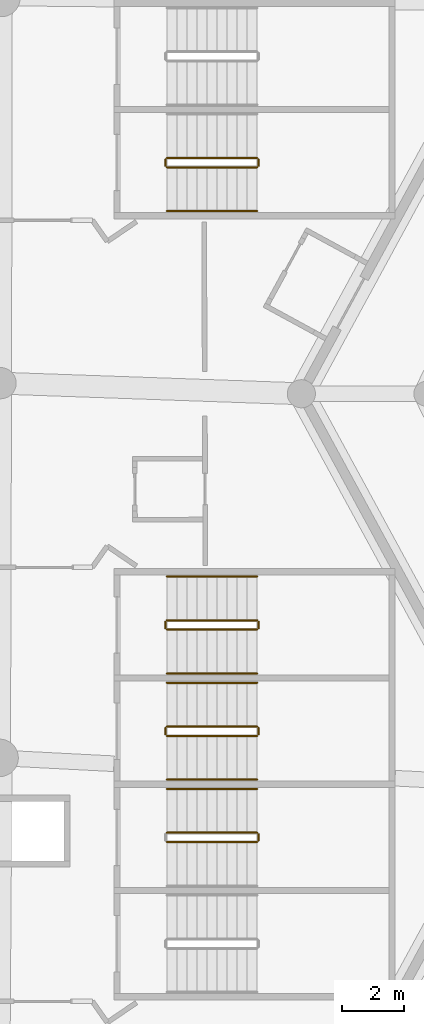
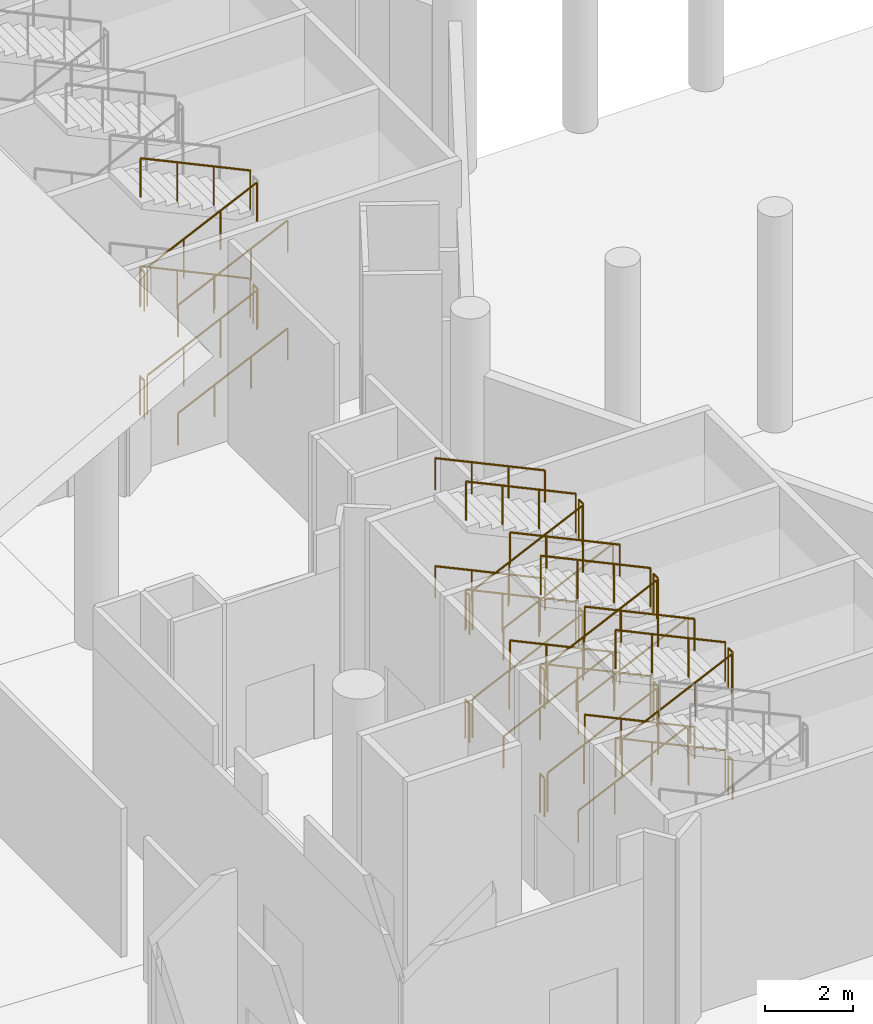
# One storey, part 226 of 249: 40 railings.
"""IFC4 building model written with IfcOpenShell, lengths in metres."""

import ifcopenshell
import ifcopenshell.guid

model = None  # the IFC model being written
_history = None  # IfcOwnerHistory: only IFC2X3 demands one
_inside = {}  # id of a spatial element -> (the spatial element, [elements in it])
_under = {}  # id of a project, library or spatial element -> (it, [spatial elements below it])
_declared = {}  # id of a project -> (the project, [libraries it declares])
_typed = {}  # id of a type object -> (the type object, [elements of that type])
_made_of = {}  # id of a material, layer set ... -> (it, [elements and type objects made of it])


def new_model(schema):
    """Start an empty IFC model of exactly this schema.

    Asked for "IFC4X3", IfcOpenShell would pick the latest addendum, in which some entities
    have other attributes; the version numbers below select the first issue.
    IFC2X3 requires an IfcOwnerHistory on every rooted entity: one is made here for all.
    """
    global model, _history
    if schema == "IFC4X3":
        model = ifcopenshell.file(schema_version=(4, 3, 0, 0))
    else:
        model = ifcopenshell.file(schema=schema)
    _inside.clear()
    _under.clear()
    _declared.clear()
    _typed.clear()
    _made_of.clear()
    _history = None
    if model.schema == "IFC2X3":
        org = make("IfcOrganization", Name="unknown")
        user = make(
            "IfcPersonAndOrganization",
            ThePerson=make("IfcPerson", FamilyName="unknown"),
            TheOrganization=org,
        )
        app = make(
            "IfcApplication",
            ApplicationDeveloper=org,
            Version="unknown",
            ApplicationFullName="unknown",
            ApplicationIdentifier="unknown",
        )
        _history = make(
            "IfcOwnerHistory",
            OwningUser=user,
            OwningApplication=app,
            ChangeAction="ADDED",
            CreationDate=0,
        )
    return model


def make(cls, **values):
    """One entity of the class cls with the attributes given. An attribute that is None is left unset."""
    return model.create_entity(
        cls, **{name: value for name, value in values.items() if value is not None}
    )


def rooted(cls, **values):
    """An entity with a GlobalId (a new one), such as an element, a storey or a relation."""
    return make(cls, GlobalId=ifcopenshell.guid.new(), OwnerHistory=_history, **values)


def si_unit(unit_type, name, prefix=None):
    """IfcSIUnit, for example si_unit("LENGTHUNIT", "METRE", prefix="MILLI")."""
    return make("IfcSIUnit", UnitType=unit_type, Prefix=prefix, Name=name)


def assignment(units):
    """IfcUnitAssignment: the units of a project."""
    return None if units is None else make("IfcUnitAssignment", Units=units)


def point(xyz):
    """IfcCartesianPoint."""
    return None if xyz is None else make("IfcCartesianPoint", Coordinates=xyz)


def direction(xyz):
    """IfcDirection."""
    return None if xyz is None else make("IfcDirection", DirectionRatios=xyz)


def frame(location, z_axis=None, x_axis=None):
    """IfcAxis2Placement3D, a coordinate frame: its origin and axes. An axis left out is left unset."""
    return make(
        "IfcAxis2Placement3D",
        Location=point(location),
        Axis=direction(z_axis),
        RefDirection=direction(x_axis),
    )


def frame_2d(location, x_axis=None):
    """IfcAxis2Placement2D, a coordinate frame in the plane: its origin and x axis."""
    return make(
        "IfcAxis2Placement2D", Location=point(location), RefDirection=direction(x_axis)
    )


def origin():
    """The frame at (0, 0, 0) with its axes left unset."""
    return frame((0.0, 0.0, 0.0))


def origin_2d():
    """The frame at (0, 0) in the plane with its x axis left unset."""
    return frame_2d((0.0, 0.0))


def place(relative_to, where):
    """IfcLocalPlacement: puts the frame where relative to a parent placement (None: the world)."""
    return make(
        "IfcLocalPlacement", PlacementRelTo=relative_to, RelativePlacement=where
    )


def context(
    kind, dimensions, precision=None, world=None, true_north=None, identifier=None
):
    """IfcGeometricRepresentationContext, for example the 3D "Model" context."""
    return make(
        "IfcGeometricRepresentationContext",
        ContextIdentifier=identifier,
        ContextType=kind,
        CoordinateSpaceDimension=dimensions,
        Precision=precision,
        WorldCoordinateSystem=world,
        TrueNorth=true_north,
    )


def subcontext(parent, identifier, kind, view, scale=None):
    """IfcGeometricRepresentationSubContext, for example "Body" below "Model"."""
    return make(
        "IfcGeometricRepresentationSubContext",
        ContextIdentifier=identifier,
        ContextType=kind,
        ParentContext=parent,
        TargetScale=scale,
        TargetView=view,
    )


def project(units=None, contexts=None):
    """IfcProject with its units and contexts."""
    return rooted(
        "IfcProject",
        Name="project",
        RepresentationContexts=contexts,
        UnitsInContext=assignment(units),
    )


def spatial(cls, under=None, at=None, **own):
    """A site, building, storey or space (cls), placed at a placement, below another one or the project."""
    s = rooted(cls, ObjectPlacement=at, **own)
    if under is not None:
        _under.setdefault(under.id(), (under, []))[1].append(s)
    return s


def profile(cls, at=None, kind="AREA", **sizes):
    """A parametric profile (cls). Its sizes go by their IFC names, for example OverallWidth=200.0."""
    return make(cls, ProfileType=kind, Position=at, **sizes)


def circle(**sizes):
    """IfcCircleProfileDef."""
    return profile("IfcCircleProfileDef", **sizes)


def extrude(swept, where, along, depth):
    """IfcExtrudedAreaSolid: the profile swept, set in the frame where, extruded along a direction by depth."""
    return make(
        "IfcExtrudedAreaSolid",
        SweptArea=swept,
        Position=where,
        ExtrudedDirection=direction(along),
        Depth=depth,
    )


def shape(context_of_items, identifier, shape_type, items):
    """IfcShapeRepresentation: the items that make up one representation, for example the "Body"."""
    return make(
        "IfcShapeRepresentation",
        ContextOfItems=context_of_items,
        RepresentationIdentifier=identifier,
        RepresentationType=shape_type,
        Items=items,
    )


def material(Name=None, Category=None):
    """IfcMaterial."""
    return make("IfcMaterial", Name=Name, Category=Category)


def made_of(thing, what):
    """Note that an element or type object is made of a material, layer set ...; save() writes the relation."""
    if what is not None:
        _made_of.setdefault(what.id(), (what, []))[1].append(thing)
    return thing


def type_object(cls, material=None, **own):
    """A type object (cls), such as IfcWallType, which elements share."""
    return made_of(rooted(cls, **own), material)


def element(
    cls,
    number,
    at=None,
    inside=None,
    cuts=None,
    type_object=None,
    material=None,
    context=None,
    identifier="Body",
    shape_type=None,
    held_by="IfcProductDefinitionShape",
    body=None,
    shapes=None,
    **own,
):
    """One element of the class cls, such as IfcWall. Its Tag is "e" and its number.

    at: its placement. inside: the storey or other place that contains it. cuts: it is an
    opening in that element (IfcRelVoidsElement). A single representation is given by context,
    identifier, shape_type and body (its items); several are given by shapes. held_by: the class
    of the entity that holds the representations. save() writes the other relations.
    """
    e = rooted(cls, Tag="e%d" % number, ObjectPlacement=at, **own)
    if body is not None:
        shapes = [shape(context, identifier, shape_type, body)]
    if shapes is not None:
        e.Representation = make(held_by, Representations=shapes)
    if inside is not None:
        _inside.setdefault(inside.id(), (inside, []))[1].append(e)
    if cuts is not None:
        rooted(
            "IfcRelVoidsElement", RelatingBuildingElement=cuts, RelatedOpeningElement=e
        )
    if type_object is not None:
        _typed.setdefault(type_object.id(), (type_object, []))[1].append(e)
    return made_of(e, material)


def aggregate(whole, parts):
    """IfcRelAggregates: a whole, such as a stair, and the parts it consists of."""
    return rooted("IfcRelAggregates", RelatingObject=whole, RelatedObjects=parts)


def save(model, path):
    """Write the relations noted so far, then the file.

    IfcRelAggregates (storeys below a building ...), IfcRelContainedInSpatialStructure (elements
    in a storey), IfcRelDefinesByType, IfcRelAssociatesMaterial and IfcRelDeclares: one each for
    every whole, place, type object, material and project.
    """
    for whole, parts in _under.values():
        aggregate(whole, parts)
    for where, things in _inside.values():
        rooted(
            "IfcRelContainedInSpatialStructure",
            RelatedElements=things,
            RelatingStructure=where,
        )
    for kind, things in _typed.values():
        rooted("IfcRelDefinesByType", RelatedObjects=things, RelatingType=kind)
    for what, things in _made_of.values():
        rooted("IfcRelAssociatesMaterial", RelatedObjects=things, RelatingMaterial=what)
    for by, libraries in _declared.values():
        rooted("IfcRelDeclares", RelatingContext=by, RelatedDefinitions=libraries)
    model.write(path)


model = new_model("IFC4")

# Units and contexts
model_context = context("Model", 3, precision=1e-05, world=origin(), true_north=direction((0.0, 1.0)))
body_context = subcontext(model_context, "Body", "Model", "MODEL_VIEW")
ifc_project = project(units=[si_unit("LENGTHUNIT", "METRE"), si_unit("AREAUNIT", "SQUARE_METRE"), si_unit("VOLUMEUNIT", "CUBIC_METRE"), si_unit("PLANEANGLEUNIT", "RADIAN"), si_unit("MASSUNIT", "GRAM", prefix="KILO")], contexts=[model_context])

# Site, building, storey
site_placement = place(None, origin())
site = spatial("IfcSite", under=ifc_project, at=site_placement, CompositionType="ELEMENT")
building_placement = place(site_placement, origin())
building = spatial("IfcBuilding", under=site, at=building_placement, Name="Meseta Stadium", CompositionType="ELEMENT")
storey_placement = place(building_placement, frame((0.0, 0.0, 12.0)))
storey = spatial("IfcBuildingStorey", under=building, at=storey_placement, Name="L02", CompositionType="ELEMENT", Elevation=12.0)

# Railings
ifc_material_1 = material(Name="Steel S355", Category="steel")
railing_type_1 = type_object("IfcRailingType", Name="Stair guard 1100", PredefinedType="GUARDRAIL", material=ifc_material_1)
railing_1_placement = place(storey_placement, frame((93.22998046875, -33.050048828125, 1.5)))
element("IfcRailing", 1, at=railing_1_placement, inside=storey, type_object=railing_type_1, Name="ST6 L02 guard 2", PredefinedType="GUARDRAIL", context=body_context, shape_type="SweptSolid", body=[
    extrude(circle(Radius=0.02392578125, at=origin_2d()), frame((0.0, 0.0, 1.076171875), z_axis=(0.0, 1.0, 0.0), x_axis=(-1.0, 0.0, 0.0)), (0.0, 0.0, 1.0), 0.199951171875),
    extrude(circle(Radius=0.02099609375, at=origin_2d()), origin(), (0.0, 0.0, 1.0), 1.052001953125),
    extrude(circle(Radius=0.02099609375, at=origin_2d()), frame((0.0, 0.199951171875, 0.0)), (0.0, 0.0, 1.0), 1.052001953125),
])
railing_2_placement = place(storey_placement, frame((93.179931640625, -32.800048828125, 1.64990234375)))
element("IfcRailing", 2, at=railing_2_placement, inside=storey, type_object=railing_type_1, Name="ST6 L02 guard 3", PredefinedType="GUARDRAIL", context=body_context, shape_type="SweptSolid", body=[
    extrude(circle(Radius=0.02392578125, at=origin_2d()), frame((0.0, 0.0, 1.076171875), z_axis=(-0.905440498372, 0.0, 0.424473207528), x_axis=(0.0, -1.0, 0.0)), (0.0, 0.0, 1.0), 3.1806640625),
    extrude(circle(Radius=0.02099609375, at=origin_2d()), origin(), (0.0, 0.0, 1.0), 1.052001953125),
    extrude(circle(Radius=0.02099609375, at=origin_2d()), frame((-0.9599609375, 0.0, 0.449951171875)), (0.0, 0.0, 1.0), 1.052001953125),
    extrude(circle(Radius=0.02099609375, at=origin_2d()), frame((-1.919921875, 0.0, 0.900146484375)), (0.0, 0.0, 1.0), 1.052001953125),
    extrude(circle(Radius=0.02099609375, at=origin_2d()), frame((-2.8798828125, 0.0, 1.35009765625)), (0.0, 0.0, 1.0), 1.052001953125),
])
railing_3_placement = place(storey_placement, frame((90.300048828125, -33.10009765625, 3.14990234375)))
element("IfcRailing", 3, at=railing_3_placement, inside=storey, type_object=railing_type_1, Name="ST6 L02 guard 5", PredefinedType="GUARDRAIL", context=body_context, shape_type="SweptSolid", body=[
    extrude(circle(Radius=0.02392578125, at=origin_2d()), frame((0.0, 0.0, 1.076171875), z_axis=(0.905440498372, 0.0, 0.424473207528), x_axis=(0.0, 1.0, 0.0)), (0.0, 0.0, 1.0), 3.1806640625),
    extrude(circle(Radius=0.02099609375, at=origin_2d()), origin(), (0.0, 0.0, 1.0), 1.052001953125),
    extrude(circle(Radius=0.02099609375, at=origin_2d()), frame((0.9599609375, 0.0, 0.449951171875)), (0.0, 0.0, 1.0), 1.052001953125),
    extrude(circle(Radius=0.02099609375, at=origin_2d()), frame((1.919921875, 0.0, 0.900146484375)), (0.0, 0.0, 1.0), 1.052001953125),
    extrude(circle(Radius=0.02099609375, at=origin_2d()), frame((2.8798828125, 0.0, 1.35009765625)), (0.0, 0.0, 1.0), 1.052001953125),
])
railing_4_placement = place(storey_placement, frame((93.22998046875, -33.050048828125, 4.5)))
element("IfcRailing", 4, at=railing_4_placement, inside=storey, type_object=railing_type_1, Name="ST6 L02 guard 6", PredefinedType="GUARDRAIL", context=body_context, shape_type="SweptSolid", body=[
    extrude(circle(Radius=0.02392578125, at=origin_2d()), frame((0.0, 0.0, 1.076171875), z_axis=(0.0, 1.0, 0.0), x_axis=(-1.0, 0.0, 0.0)), (0.0, 0.0, 1.0), 0.199951171875),
    extrude(circle(Radius=0.02099609375, at=origin_2d()), origin(), (0.0, 0.0, 1.0), 1.052001953125),
    extrude(circle(Radius=0.02099609375, at=origin_2d()), frame((0.0, 0.199951171875, 0.0)), (0.0, 0.0, 1.0), 1.052001953125),
])
railing_5_placement = place(storey_placement, frame((93.179931640625, -32.800048828125, 4.64990234375)))
element("IfcRailing", 5, at=railing_5_placement, inside=storey, type_object=railing_type_1, Name="ST6 L02 guard 7", PredefinedType="GUARDRAIL", context=body_context, shape_type="SweptSolid", body=[
    extrude(circle(Radius=0.02392578125, at=origin_2d()), frame((0.0, 0.0, 1.076171875), z_axis=(-0.905440498372, 0.0, 0.424473207528), x_axis=(0.0, -1.0, 0.0)), (0.0, 0.0, 1.0), 3.1806640625),
    extrude(circle(Radius=0.02099609375, at=origin_2d()), origin(), (0.0, 0.0, 1.0), 1.052001953125),
    extrude(circle(Radius=0.02099609375, at=origin_2d()), frame((-0.9599609375, 0.0, 0.449951171875)), (0.0, 0.0, 1.0), 1.052001953125),
    extrude(circle(Radius=0.02099609375, at=origin_2d()), frame((-1.919921875, 0.0, 0.900146484375)), (0.0, 0.0, 1.0), 1.052001953125),
    extrude(circle(Radius=0.02099609375, at=origin_2d()), frame((-2.8798828125, 0.0, 1.35009765625)), (0.0, 0.0, 1.0), 1.052001953125),
])
railing_6_placement = place(storey_placement, frame((90.300048828125, -29.699951171875, 0.14990234375)))
element("IfcRailing", 6, at=railing_6_placement, inside=storey, type_object=railing_type_1, Name="ST7 L02 guard 1", PredefinedType="GUARDRAIL", context=body_context, shape_type="SweptSolid", body=[
    extrude(circle(Radius=0.02392578125, at=origin_2d()), frame((0.0, 0.0, 1.076171875), z_axis=(0.905440498372, 0.0, 0.424473207528), x_axis=(0.0, 1.0, 0.0)), (0.0, 0.0, 1.0), 3.1806640625),
    extrude(circle(Radius=0.02099609375, at=origin_2d()), origin(), (0.0, 0.0, 1.0), 1.052001953125),
    extrude(circle(Radius=0.02099609375, at=origin_2d()), frame((0.9599609375, 0.0, 0.449951171875)), (0.0, 0.0, 1.0), 1.052001953125),
    extrude(circle(Radius=0.02099609375, at=origin_2d()), frame((1.919921875, 0.0, 0.900146484375)), (0.0, 0.0, 1.0), 1.052001953125),
    extrude(circle(Radius=0.02099609375, at=origin_2d()), frame((2.8798828125, 0.0, 1.35009765625)), (0.0, 0.0, 1.0), 1.052001953125),
])
railing_7_placement = place(storey_placement, frame((93.22998046875, -29.64990234375, 1.5)))
element("IfcRailing", 7, at=railing_7_placement, inside=storey, type_object=railing_type_1, Name="ST7 L02 guard 2", PredefinedType="GUARDRAIL", context=body_context, shape_type="SweptSolid", body=[
    extrude(circle(Radius=0.02392578125, at=origin_2d()), frame((0.0, 0.0, 1.076171875), z_axis=(0.0, 1.0, 0.0), x_axis=(-1.0, 0.0, 0.0)), (0.0, 0.0, 1.0), 0.199951171875),
    extrude(circle(Radius=0.02099609375, at=origin_2d()), origin(), (0.0, 0.0, 1.0), 1.052001953125),
    extrude(circle(Radius=0.02099609375, at=origin_2d()), frame((0.0, 0.199951171875, 0.0)), (0.0, 0.0, 1.0), 1.052001953125),
])
railing_8_placement = place(storey_placement, frame((93.179931640625, -29.39990234375, 1.64990234375)))
element("IfcRailing", 8, at=railing_8_placement, inside=storey, type_object=railing_type_1, Name="ST7 L02 guard 3", PredefinedType="GUARDRAIL", context=body_context, shape_type="SweptSolid", body=[
    extrude(circle(Radius=0.02392578125, at=origin_2d()), frame((0.0, 0.0, 1.076171875), z_axis=(-0.905440498372, 0.0, 0.424473207528), x_axis=(0.0, -1.0, 0.0)), (0.0, 0.0, 1.0), 3.1806640625),
    extrude(circle(Radius=0.02099609375, at=origin_2d()), origin(), (0.0, 0.0, 1.0), 1.052001953125),
    extrude(circle(Radius=0.02099609375, at=origin_2d()), frame((-0.9599609375, 0.0, 0.449951171875)), (0.0, 0.0, 1.0), 1.052001953125),
    extrude(circle(Radius=0.02099609375, at=origin_2d()), frame((-1.919921875, 0.0, 0.900146484375)), (0.0, 0.0, 1.0), 1.052001953125),
    extrude(circle(Radius=0.02099609375, at=origin_2d()), frame((-2.8798828125, 0.0, 1.35009765625)), (0.0, 0.0, 1.0), 1.052001953125),
])
railing_9_placement = place(storey_placement, frame((90.25, -29.64990234375, 3.0)))
element("IfcRailing", 9, at=railing_9_placement, inside=storey, type_object=railing_type_1, Name="ST7 L02 guard 4", PredefinedType="GUARDRAIL", context=body_context, shape_type="SweptSolid", body=[
    extrude(circle(Radius=0.02392578125, at=origin_2d()), frame((0.0, 0.0, 1.076171875), z_axis=(0.0, 1.0, 0.0), x_axis=(-1.0, 0.0, 0.0)), (0.0, 0.0, 1.0), 0.199951171875),
    extrude(circle(Radius=0.02099609375, at=origin_2d()), origin(), (0.0, 0.0, 1.0), 1.052001953125),
    extrude(circle(Radius=0.02099609375, at=origin_2d()), frame((0.0, 0.199951171875, 0.0)), (0.0, 0.0, 1.0), 1.052001953125),
])
railing_10_placement = place(storey_placement, frame((90.300048828125, -29.699951171875, 3.14990234375)))
element("IfcRailing", 10, at=railing_10_placement, inside=storey, type_object=railing_type_1, Name="ST7 L02 guard 5", PredefinedType="GUARDRAIL", context=body_context, shape_type="SweptSolid", body=[
    extrude(circle(Radius=0.02392578125, at=origin_2d()), frame((0.0, 0.0, 1.076171875), z_axis=(0.905440498372, 0.0, 0.424473207528), x_axis=(0.0, 1.0, 0.0)), (0.0, 0.0, 1.0), 3.1806640625),
    extrude(circle(Radius=0.02099609375, at=origin_2d()), origin(), (0.0, 0.0, 1.0), 1.052001953125),
    extrude(circle(Radius=0.02099609375, at=origin_2d()), frame((0.9599609375, 0.0, 0.449951171875)), (0.0, 0.0, 1.0), 1.052001953125),
    extrude(circle(Radius=0.02099609375, at=origin_2d()), frame((1.919921875, 0.0, 0.900146484375)), (0.0, 0.0, 1.0), 1.052001953125),
    extrude(circle(Radius=0.02099609375, at=origin_2d()), frame((2.8798828125, 0.0, 1.35009765625)), (0.0, 0.0, 1.0), 1.052001953125),
])
railing_11_placement = place(storey_placement, frame((93.22998046875, -29.64990234375, 4.5)))
element("IfcRailing", 11, at=railing_11_placement, inside=storey, type_object=railing_type_1, Name="ST7 L02 guard 6", PredefinedType="GUARDRAIL", context=body_context, shape_type="SweptSolid", body=[
    extrude(circle(Radius=0.02392578125, at=origin_2d()), frame((0.0, 0.0, 1.076171875), z_axis=(0.0, 1.0, 0.0), x_axis=(-1.0, 0.0, 0.0)), (0.0, 0.0, 1.0), 0.199951171875),
    extrude(circle(Radius=0.02099609375, at=origin_2d()), origin(), (0.0, 0.0, 1.0), 1.052001953125),
    extrude(circle(Radius=0.02099609375, at=origin_2d()), frame((0.0, 0.199951171875, 0.0)), (0.0, 0.0, 1.0), 1.052001953125),
])
railing_12_placement = place(storey_placement, frame((93.179931640625, -29.39990234375, 4.64990234375)))
element("IfcRailing", 12, at=railing_12_placement, inside=storey, type_object=railing_type_1, Name="ST7 L02 guard 7", PredefinedType="GUARDRAIL", context=body_context, shape_type="SweptSolid", body=[
    extrude(circle(Radius=0.02392578125, at=origin_2d()), frame((0.0, 0.0, 1.076171875), z_axis=(-0.905440498372, 0.0, 0.424473207528), x_axis=(0.0, -1.0, 0.0)), (0.0, 0.0, 1.0), 3.1806640625),
    extrude(circle(Radius=0.02099609375, at=origin_2d()), origin(), (0.0, 0.0, 1.0), 1.052001953125),
    extrude(circle(Radius=0.02099609375, at=origin_2d()), frame((-0.9599609375, 0.0, 0.449951171875)), (0.0, 0.0, 1.0), 1.052001953125),
    extrude(circle(Radius=0.02099609375, at=origin_2d()), frame((-1.919921875, 0.0, 0.900146484375)), (0.0, 0.0, 1.0), 1.052001953125),
    extrude(circle(Radius=0.02099609375, at=origin_2d()), frame((-2.8798828125, 0.0, 1.35009765625)), (0.0, 0.0, 1.0), 1.052001953125),
])
railing_13_placement = place(storey_placement, frame((90.25, -29.64990234375, 0.0)))
element("IfcRailing", 13, at=railing_13_placement, inside=storey, type_object=railing_type_1, Name="ST7 L02 guard 8", PredefinedType="GUARDRAIL", context=body_context, shape_type="SweptSolid", body=[
    extrude(circle(Radius=0.02392578125, at=origin_2d()), frame((0.0, 0.0, 1.076171875), z_axis=(0.0, 1.0, 0.0), x_axis=(-1.0, 0.0, 0.0)), (0.0, 0.0, 1.0), 0.199951171875),
    extrude(circle(Radius=0.02099609375, at=origin_2d()), origin(), (0.0, 0.0, 1.0), 1.052001953125),
    extrude(circle(Radius=0.02099609375, at=origin_2d()), frame((0.0, 0.199951171875, 0.0)), (0.0, 0.0, 1.0), 1.052001953125),
])
railing_14_placement = place(storey_placement, frame((90.300048828125, -26.300048828125, 0.14990234375)))
element("IfcRailing", 14, at=railing_14_placement, inside=storey, type_object=railing_type_1, Name="ST8 L02 guard 1", PredefinedType="GUARDRAIL", context=body_context, shape_type="SweptSolid", body=[
    extrude(circle(Radius=0.02392578125, at=origin_2d()), frame((0.0, 0.0, 1.076171875), z_axis=(0.905440498372, 0.0, 0.424473207528), x_axis=(0.0, 1.0, 0.0)), (0.0, 0.0, 1.0), 3.1806640625),
    extrude(circle(Radius=0.02099609375, at=origin_2d()), origin(), (0.0, 0.0, 1.0), 1.052001953125),
    extrude(circle(Radius=0.02099609375, at=origin_2d()), frame((0.9599609375, 0.0, 0.449951171875)), (0.0, 0.0, 1.0), 1.052001953125),
    extrude(circle(Radius=0.02099609375, at=origin_2d()), frame((1.919921875, 0.0, 0.900146484375)), (0.0, 0.0, 1.0), 1.052001953125),
    extrude(circle(Radius=0.02099609375, at=origin_2d()), frame((2.8798828125, 0.0, 1.35009765625)), (0.0, 0.0, 1.0), 1.052001953125),
])
railing_15_placement = place(storey_placement, frame((93.22998046875, -26.25, 1.5)))
element("IfcRailing", 15, at=railing_15_placement, inside=storey, type_object=railing_type_1, Name="ST8 L02 guard 2", PredefinedType="GUARDRAIL", context=body_context, shape_type="SweptSolid", body=[
    extrude(circle(Radius=0.02392578125, at=origin_2d()), frame((0.0, 0.0, 1.076171875), z_axis=(0.0, 1.0, 0.0), x_axis=(-1.0, 0.0, 0.0)), (0.0, 0.0, 1.0), 0.199951171875),
    extrude(circle(Radius=0.02099609375, at=origin_2d()), origin(), (0.0, 0.0, 1.0), 1.052001953125),
    extrude(circle(Radius=0.02099609375, at=origin_2d()), frame((0.0, 0.199951171875, 0.0)), (0.0, 0.0, 1.0), 1.052001953125),
])
railing_16_placement = place(storey_placement, frame((93.179931640625, -26.0, 1.64990234375)))
element("IfcRailing", 16, at=railing_16_placement, inside=storey, type_object=railing_type_1, Name="ST8 L02 guard 3", PredefinedType="GUARDRAIL", context=body_context, shape_type="SweptSolid", body=[
    extrude(circle(Radius=0.02392578125, at=origin_2d()), frame((0.0, 0.0, 1.076171875), z_axis=(-0.905440498372, 0.0, 0.424473207528), x_axis=(0.0, -1.0, 0.0)), (0.0, 0.0, 1.0), 3.1806640625),
    extrude(circle(Radius=0.02099609375, at=origin_2d()), origin(), (0.0, 0.0, 1.0), 1.052001953125),
    extrude(circle(Radius=0.02099609375, at=origin_2d()), frame((-0.9599609375, 0.0, 0.449951171875)), (0.0, 0.0, 1.0), 1.052001953125),
    extrude(circle(Radius=0.02099609375, at=origin_2d()), frame((-1.919921875, 0.0, 0.900146484375)), (0.0, 0.0, 1.0), 1.052001953125),
    extrude(circle(Radius=0.02099609375, at=origin_2d()), frame((-2.8798828125, 0.0, 1.35009765625)), (0.0, 0.0, 1.0), 1.052001953125),
])
railing_17_placement = place(storey_placement, frame((90.25, -26.25, 3.0)))
element("IfcRailing", 17, at=railing_17_placement, inside=storey, type_object=railing_type_1, Name="ST8 L02 guard 4", PredefinedType="GUARDRAIL", context=body_context, shape_type="SweptSolid", body=[
    extrude(circle(Radius=0.02392578125, at=origin_2d()), frame((0.0, 0.0, 1.076171875), z_axis=(0.0, 1.0, 0.0), x_axis=(-1.0, 0.0, 0.0)), (0.0, 0.0, 1.0), 0.199951171875),
    extrude(circle(Radius=0.02099609375, at=origin_2d()), origin(), (0.0, 0.0, 1.0), 1.052001953125),
    extrude(circle(Radius=0.02099609375, at=origin_2d()), frame((0.0, 0.199951171875, 0.0)), (0.0, 0.0, 1.0), 1.052001953125),
])
railing_18_placement = place(storey_placement, frame((90.300048828125, -26.300048828125, 3.14990234375)))
element("IfcRailing", 18, at=railing_18_placement, inside=storey, type_object=railing_type_1, Name="ST8 L02 guard 5", PredefinedType="GUARDRAIL", context=body_context, shape_type="SweptSolid", body=[
    extrude(circle(Radius=0.02392578125, at=origin_2d()), frame((0.0, 0.0, 1.076171875), z_axis=(0.905440498372, 0.0, 0.424473207528), x_axis=(0.0, 1.0, 0.0)), (0.0, 0.0, 1.0), 3.1806640625),
    extrude(circle(Radius=0.02099609375, at=origin_2d()), origin(), (0.0, 0.0, 1.0), 1.052001953125),
    extrude(circle(Radius=0.02099609375, at=origin_2d()), frame((0.9599609375, 0.0, 0.449951171875)), (0.0, 0.0, 1.0), 1.052001953125),
    extrude(circle(Radius=0.02099609375, at=origin_2d()), frame((1.919921875, 0.0, 0.900146484375)), (0.0, 0.0, 1.0), 1.052001953125),
    extrude(circle(Radius=0.02099609375, at=origin_2d()), frame((2.8798828125, 0.0, 1.35009765625)), (0.0, 0.0, 1.0), 1.052001953125),
])
railing_19_placement = place(storey_placement, frame((93.22998046875, -26.25, 4.5)))
element("IfcRailing", 19, at=railing_19_placement, inside=storey, type_object=railing_type_1, Name="ST8 L02 guard 6", PredefinedType="GUARDRAIL", context=body_context, shape_type="SweptSolid", body=[
    extrude(circle(Radius=0.02392578125, at=origin_2d()), frame((0.0, 0.0, 1.076171875), z_axis=(0.0, 1.0, 0.0), x_axis=(-1.0, 0.0, 0.0)), (0.0, 0.0, 1.0), 0.199951171875),
    extrude(circle(Radius=0.02099609375, at=origin_2d()), origin(), (0.0, 0.0, 1.0), 1.052001953125),
    extrude(circle(Radius=0.02099609375, at=origin_2d()), frame((0.0, 0.199951171875, 0.0)), (0.0, 0.0, 1.0), 1.052001953125),
])
railing_20_placement = place(storey_placement, frame((93.179931640625, -26.0, 4.64990234375)))
element("IfcRailing", 20, at=railing_20_placement, inside=storey, type_object=railing_type_1, Name="ST8 L02 guard 7", PredefinedType="GUARDRAIL", context=body_context, shape_type="SweptSolid", body=[
    extrude(circle(Radius=0.02392578125, at=origin_2d()), frame((0.0, 0.0, 1.076171875), z_axis=(-0.905440498372, 0.0, 0.424473207528), x_axis=(0.0, -1.0, 0.0)), (0.0, 0.0, 1.0), 3.1806640625),
    extrude(circle(Radius=0.02099609375, at=origin_2d()), origin(), (0.0, 0.0, 1.0), 1.052001953125),
    extrude(circle(Radius=0.02099609375, at=origin_2d()), frame((-0.9599609375, 0.0, 0.449951171875)), (0.0, 0.0, 1.0), 1.052001953125),
    extrude(circle(Radius=0.02099609375, at=origin_2d()), frame((-1.919921875, 0.0, 0.900146484375)), (0.0, 0.0, 1.0), 1.052001953125),
    extrude(circle(Radius=0.02099609375, at=origin_2d()), frame((-2.8798828125, 0.0, 1.35009765625)), (0.0, 0.0, 1.0), 1.052001953125),
])
railing_21_placement = place(storey_placement, frame((90.25, -26.25, 0.0)))
element("IfcRailing", 21, at=railing_21_placement, inside=storey, type_object=railing_type_1, Name="ST8 L02 guard 8", PredefinedType="GUARDRAIL", context=body_context, shape_type="SweptSolid", body=[
    extrude(circle(Radius=0.02392578125, at=origin_2d()), frame((0.0, 0.0, 1.076171875), z_axis=(0.0, 1.0, 0.0), x_axis=(-1.0, 0.0, 0.0)), (0.0, 0.0, 1.0), 0.199951171875),
    extrude(circle(Radius=0.02099609375, at=origin_2d()), origin(), (0.0, 0.0, 1.0), 1.052001953125),
    extrude(circle(Radius=0.02099609375, at=origin_2d()), frame((0.0, 0.199951171875, 0.0)), (0.0, 0.0, 1.0), 1.052001953125),
])
railing_22_placement = place(storey_placement, frame((90.300048828125, -11.5, 0.14990234375)))
element("IfcRailing", 22, at=railing_22_placement, inside=storey, type_object=railing_type_1, Name="ST9 L02 guard 1", PredefinedType="GUARDRAIL", context=body_context, shape_type="SweptSolid", body=[
    extrude(circle(Radius=0.02392578125, at=origin_2d()), frame((0.0, 0.0, 1.076171875), z_axis=(0.905440498372, 0.0, 0.424473207528), x_axis=(0.0, 1.0, 0.0)), (0.0, 0.0, 1.0), 3.1806640625),
    extrude(circle(Radius=0.02099609375, at=origin_2d()), origin(), (0.0, 0.0, 1.0), 1.052001953125),
    extrude(circle(Radius=0.02099609375, at=origin_2d()), frame((0.9599609375, 0.0, 0.449951171875)), (0.0, 0.0, 1.0), 1.052001953125),
    extrude(circle(Radius=0.02099609375, at=origin_2d()), frame((1.919921875, 0.0, 0.900146484375)), (0.0, 0.0, 1.0), 1.052001953125),
    extrude(circle(Radius=0.02099609375, at=origin_2d()), frame((2.8798828125, 0.0, 1.35009765625)), (0.0, 0.0, 1.0), 1.052001953125),
])
railing_23_placement = place(storey_placement, frame((93.22998046875, -11.449951171875, 1.5)))
element("IfcRailing", 23, at=railing_23_placement, inside=storey, type_object=railing_type_1, Name="ST9 L02 guard 2", PredefinedType="GUARDRAIL", context=body_context, shape_type="SweptSolid", body=[
    extrude(circle(Radius=0.02392578125, at=origin_2d()), frame((0.0, 0.0, 1.076171875), z_axis=(0.0, 1.0, 0.0), x_axis=(-1.0, 0.0, 0.0)), (0.0, 0.0, 1.0), 0.199951171875),
    extrude(circle(Radius=0.02099609375, at=origin_2d()), origin(), (0.0, 0.0, 1.0), 1.052001953125),
    extrude(circle(Radius=0.02099609375, at=origin_2d()), frame((0.0, 0.199951171875, 0.0)), (0.0, 0.0, 1.0), 1.052001953125),
])
railing_24_placement = place(storey_placement, frame((93.179931640625, -11.199951171875, 1.64990234375)))
element("IfcRailing", 24, at=railing_24_placement, inside=storey, type_object=railing_type_1, Name="ST9 L02 guard 3", PredefinedType="GUARDRAIL", context=body_context, shape_type="SweptSolid", body=[
    extrude(circle(Radius=0.02392578125, at=origin_2d()), frame((0.0, 0.0, 1.076171875), z_axis=(-0.905440498372, 0.0, 0.424473207528), x_axis=(0.0, -1.0, 0.0)), (0.0, 0.0, 1.0), 3.1806640625),
    extrude(circle(Radius=0.02099609375, at=origin_2d()), origin(), (0.0, 0.0, 1.0), 1.052001953125),
    extrude(circle(Radius=0.02099609375, at=origin_2d()), frame((-0.9599609375, 0.0, 0.449951171875)), (0.0, 0.0, 1.0), 1.052001953125),
    extrude(circle(Radius=0.02099609375, at=origin_2d()), frame((-1.919921875, 0.0, 0.900146484375)), (0.0, 0.0, 1.0), 1.052001953125),
    extrude(circle(Radius=0.02099609375, at=origin_2d()), frame((-2.8798828125, 0.0, 1.35009765625)), (0.0, 0.0, 1.0), 1.052001953125),
])
railing_25_placement = place(storey_placement, frame((90.25, -11.449951171875, 3.0)))
element("IfcRailing", 25, at=railing_25_placement, inside=storey, type_object=railing_type_1, Name="ST9 L02 guard 4", PredefinedType="GUARDRAIL", context=body_context, shape_type="SweptSolid", body=[
    extrude(circle(Radius=0.02392578125, at=origin_2d()), frame((0.0, 0.0, 1.076171875), z_axis=(0.0, 1.0, 0.0), x_axis=(-1.0, 0.0, 0.0)), (0.0, 0.0, 1.0), 0.199951171875),
    extrude(circle(Radius=0.02099609375, at=origin_2d()), origin(), (0.0, 0.0, 1.0), 1.052001953125),
    extrude(circle(Radius=0.02099609375, at=origin_2d()), frame((0.0, 0.199951171875, 0.0)), (0.0, 0.0, 1.0), 1.052001953125),
])
railing_26_placement = place(storey_placement, frame((90.300048828125, -11.5, 3.14990234375)))
element("IfcRailing", 26, at=railing_26_placement, inside=storey, type_object=railing_type_1, Name="ST9 L02 guard 5", PredefinedType="GUARDRAIL", context=body_context, shape_type="SweptSolid", body=[
    extrude(circle(Radius=0.02392578125, at=origin_2d()), frame((0.0, 0.0, 1.076171875), z_axis=(0.905440498372, 0.0, 0.424473207528), x_axis=(0.0, 1.0, 0.0)), (0.0, 0.0, 1.0), 3.1806640625),
    extrude(circle(Radius=0.02099609375, at=origin_2d()), origin(), (0.0, 0.0, 1.0), 1.052001953125),
    extrude(circle(Radius=0.02099609375, at=origin_2d()), frame((0.9599609375, 0.0, 0.449951171875)), (0.0, 0.0, 1.0), 1.052001953125),
    extrude(circle(Radius=0.02099609375, at=origin_2d()), frame((1.919921875, 0.0, 0.900146484375)), (0.0, 0.0, 1.0), 1.052001953125),
    extrude(circle(Radius=0.02099609375, at=origin_2d()), frame((2.8798828125, 0.0, 1.35009765625)), (0.0, 0.0, 1.0), 1.052001953125),
])
railing_27_placement = place(storey_placement, frame((93.179931640625, -11.199951171875, 4.64990234375)))
element("IfcRailing", 27, at=railing_27_placement, inside=storey, type_object=railing_type_1, Name="ST9 L02 guard 7", PredefinedType="GUARDRAIL", context=body_context, shape_type="SweptSolid", body=[
    extrude(circle(Radius=0.02392578125, at=origin_2d()), frame((0.0, 0.0, 1.076171875), z_axis=(-0.905440498372, 0.0, 0.424473207528), x_axis=(0.0, -1.0, 0.0)), (0.0, 0.0, 1.0), 3.1806640625),
    extrude(circle(Radius=0.02099609375, at=origin_2d()), origin(), (0.0, 0.0, 1.0), 1.052001953125),
    extrude(circle(Radius=0.02099609375, at=origin_2d()), frame((-0.9599609375, 0.0, 0.449951171875)), (0.0, 0.0, 1.0), 1.052001953125),
    extrude(circle(Radius=0.02099609375, at=origin_2d()), frame((-1.919921875, 0.0, 0.900146484375)), (0.0, 0.0, 1.0), 1.052001953125),
    extrude(circle(Radius=0.02099609375, at=origin_2d()), frame((-2.8798828125, 0.0, 1.35009765625)), (0.0, 0.0, 1.0), 1.052001953125),
])
railing_28_placement = place(storey_placement, frame((90.25, -11.449951171875, 0.0)))
element("IfcRailing", 28, at=railing_28_placement, inside=storey, type_object=railing_type_1, Name="ST9 L02 guard 8", PredefinedType="GUARDRAIL", context=body_context, shape_type="SweptSolid", body=[
    extrude(circle(Radius=0.02392578125, at=origin_2d()), frame((0.0, 0.0, 1.076171875), z_axis=(0.0, 1.0, 0.0), x_axis=(-1.0, 0.0, 0.0)), (0.0, 0.0, 1.0), 0.199951171875),
    extrude(circle(Radius=0.02099609375, at=origin_2d()), origin(), (0.0, 0.0, 1.0), 1.052001953125),
    extrude(circle(Radius=0.02099609375, at=origin_2d()), frame((0.0, 0.199951171875, 0.0)), (0.0, 0.0, 1.0), 1.052001953125),
])
ifc_material_2 = material(Name="Steel S355", Category="steel")
railing_type_2 = type_object("IfcRailingType", Name="Stair handrail 900", PredefinedType="HANDRAIL", material=ifc_material_2)
for number, where, name in (
    (29, (93.179931640625, -31.39990234375, 1.64990234375), "ST6 L02 handrail 2"),
    (30, (93.179931640625, -31.39990234375, 4.64990234375), "ST6 L02 handrail 4"),
):
    element("IfcRailing", number, at=place(storey_placement, frame(where)), inside=storey, type_object=railing_type_2, Name=name, PredefinedType="HANDRAIL", context=body_context, shape_type="SweptSolid", body=[
        extrude(circle(Radius=0.02392578125, at=origin_2d()), frame((0.0, 0.0, 0.8759765625), z_axis=(-0.905440498372, 0.0, 0.424473207528), x_axis=(0.0, -1.0, 0.0)), (0.0, 0.0, 1.0), 3.1806640625),
        extrude(circle(Radius=0.02099609375, at=origin_2d()), origin(), (0.0, 0.0, 1.0), 0.851806640625),
        extrude(circle(Radius=0.02099609375, at=origin_2d()), frame((-0.9599609375, 0.0, 0.449951171875)), (0.0, 0.0, 1.0), 0.851806640625),
        extrude(circle(Radius=0.02099609375, at=origin_2d()), frame((-1.919921875, 0.0, 0.900146484375)), (0.0, 0.0, 1.0), 0.851806640625),
        extrude(circle(Radius=0.02099609375, at=origin_2d()), frame((-2.8798828125, 0.0, 1.35009765625)), (0.0, 0.0, 1.0), 0.851806640625),
    ])
railing_29_placement = place(storey_placement, frame((90.300048828125, -31.10009765625, 0.14990234375)))
element("IfcRailing", 31, at=railing_29_placement, inside=storey, type_object=railing_type_2, Name="ST7 L02 handrail 1", PredefinedType="HANDRAIL", context=body_context, shape_type="SweptSolid", body=[
    extrude(circle(Radius=0.02392578125, at=origin_2d()), frame((0.0, 0.0, 0.8759765625), z_axis=(0.905440498372, 0.0, 0.424473207528), x_axis=(0.0, 1.0, 0.0)), (0.0, 0.0, 1.0), 3.1806640625),
    extrude(circle(Radius=0.02099609375, at=origin_2d()), origin(), (0.0, 0.0, 1.0), 0.851806640625),
    extrude(circle(Radius=0.02099609375, at=origin_2d()), frame((0.9599609375, 0.0, 0.449951171875)), (0.0, 0.0, 1.0), 0.851806640625),
    extrude(circle(Radius=0.02099609375, at=origin_2d()), frame((1.919921875, 0.0, 0.900146484375)), (0.0, 0.0, 1.0), 0.851806640625),
    extrude(circle(Radius=0.02099609375, at=origin_2d()), frame((2.8798828125, 0.0, 1.35009765625)), (0.0, 0.0, 1.0), 0.851806640625),
])
railing_30_placement = place(storey_placement, frame((93.179931640625, -28.0, 1.64990234375)))
element("IfcRailing", 32, at=railing_30_placement, inside=storey, type_object=railing_type_2, Name="ST7 L02 handrail 2", PredefinedType="HANDRAIL", context=body_context, shape_type="SweptSolid", body=[
    extrude(circle(Radius=0.02392578125, at=origin_2d()), frame((0.0, 0.0, 0.8759765625), z_axis=(-0.905440498372, 0.0, 0.424473207528), x_axis=(0.0, -1.0, 0.0)), (0.0, 0.0, 1.0), 3.1806640625),
    extrude(circle(Radius=0.02099609375, at=origin_2d()), origin(), (0.0, 0.0, 1.0), 0.851806640625),
    extrude(circle(Radius=0.02099609375, at=origin_2d()), frame((-0.9599609375, 0.0, 0.449951171875)), (0.0, 0.0, 1.0), 0.851806640625),
    extrude(circle(Radius=0.02099609375, at=origin_2d()), frame((-1.919921875, 0.0, 0.900146484375)), (0.0, 0.0, 1.0), 0.851806640625),
    extrude(circle(Radius=0.02099609375, at=origin_2d()), frame((-2.8798828125, 0.0, 1.35009765625)), (0.0, 0.0, 1.0), 0.851806640625),
])
railing_31_placement = place(storey_placement, frame((90.300048828125, -31.10009765625, 3.14990234375)))
element("IfcRailing", 33, at=railing_31_placement, inside=storey, type_object=railing_type_2, Name="ST7 L02 handrail 3", PredefinedType="HANDRAIL", context=body_context, shape_type="SweptSolid", body=[
    extrude(circle(Radius=0.02392578125, at=origin_2d()), frame((0.0, 0.0, 0.8759765625), z_axis=(0.905440498372, 0.0, 0.424473207528), x_axis=(0.0, 1.0, 0.0)), (0.0, 0.0, 1.0), 3.1806640625),
    extrude(circle(Radius=0.02099609375, at=origin_2d()), origin(), (0.0, 0.0, 1.0), 0.851806640625),
    extrude(circle(Radius=0.02099609375, at=origin_2d()), frame((0.9599609375, 0.0, 0.449951171875)), (0.0, 0.0, 1.0), 0.851806640625),
    extrude(circle(Radius=0.02099609375, at=origin_2d()), frame((1.919921875, 0.0, 0.900146484375)), (0.0, 0.0, 1.0), 0.851806640625),
    extrude(circle(Radius=0.02099609375, at=origin_2d()), frame((2.8798828125, 0.0, 1.35009765625)), (0.0, 0.0, 1.0), 0.851806640625),
])
railing_32_placement = place(storey_placement, frame((93.179931640625, -28.0, 4.64990234375)))
element("IfcRailing", 34, at=railing_32_placement, inside=storey, type_object=railing_type_2, Name="ST7 L02 handrail 4", PredefinedType="HANDRAIL", context=body_context, shape_type="SweptSolid", body=[
    extrude(circle(Radius=0.02392578125, at=origin_2d()), frame((0.0, 0.0, 0.8759765625), z_axis=(-0.905440498372, 0.0, 0.424473207528), x_axis=(0.0, -1.0, 0.0)), (0.0, 0.0, 1.0), 3.1806640625),
    extrude(circle(Radius=0.02099609375, at=origin_2d()), origin(), (0.0, 0.0, 1.0), 0.851806640625),
    extrude(circle(Radius=0.02099609375, at=origin_2d()), frame((-0.9599609375, 0.0, 0.449951171875)), (0.0, 0.0, 1.0), 0.851806640625),
    extrude(circle(Radius=0.02099609375, at=origin_2d()), frame((-1.919921875, 0.0, 0.900146484375)), (0.0, 0.0, 1.0), 0.851806640625),
    extrude(circle(Radius=0.02099609375, at=origin_2d()), frame((-2.8798828125, 0.0, 1.35009765625)), (0.0, 0.0, 1.0), 0.851806640625),
])
railing_33_placement = place(storey_placement, frame((90.300048828125, -27.699951171875, 0.14990234375)))
element("IfcRailing", 35, at=railing_33_placement, inside=storey, type_object=railing_type_2, Name="ST8 L02 handrail 1", PredefinedType="HANDRAIL", context=body_context, shape_type="SweptSolid", body=[
    extrude(circle(Radius=0.02392578125, at=origin_2d()), frame((0.0, 0.0, 0.8759765625), z_axis=(0.905440498372, 0.0, 0.424473207528), x_axis=(0.0, 1.0, 0.0)), (0.0, 0.0, 1.0), 3.1806640625),
    extrude(circle(Radius=0.02099609375, at=origin_2d()), origin(), (0.0, 0.0, 1.0), 0.851806640625),
    extrude(circle(Radius=0.02099609375, at=origin_2d()), frame((0.9599609375, 0.0, 0.449951171875)), (0.0, 0.0, 1.0), 0.851806640625),
    extrude(circle(Radius=0.02099609375, at=origin_2d()), frame((1.919921875, 0.0, 0.900146484375)), (0.0, 0.0, 1.0), 0.851806640625),
    extrude(circle(Radius=0.02099609375, at=origin_2d()), frame((2.8798828125, 0.0, 1.35009765625)), (0.0, 0.0, 1.0), 0.851806640625),
])
railing_34_placement = place(storey_placement, frame((93.179931640625, -24.60009765625, 1.64990234375)))
element("IfcRailing", 36, at=railing_34_placement, inside=storey, type_object=railing_type_2, Name="ST8 L02 handrail 2", PredefinedType="HANDRAIL", context=body_context, shape_type="SweptSolid", body=[
    extrude(circle(Radius=0.02392578125, at=origin_2d()), frame((0.0, 0.0, 0.8759765625), z_axis=(-0.905440498372, 0.0, 0.424473207528), x_axis=(0.0, -1.0, 0.0)), (0.0, 0.0, 1.0), 3.1806640625),
    extrude(circle(Radius=0.02099609375, at=origin_2d()), origin(), (0.0, 0.0, 1.0), 0.851806640625),
    extrude(circle(Radius=0.02099609375, at=origin_2d()), frame((-0.9599609375, 0.0, 0.449951171875)), (0.0, 0.0, 1.0), 0.851806640625),
    extrude(circle(Radius=0.02099609375, at=origin_2d()), frame((-1.919921875, 0.0, 0.900146484375)), (0.0, 0.0, 1.0), 0.851806640625),
    extrude(circle(Radius=0.02099609375, at=origin_2d()), frame((-2.8798828125, 0.0, 1.35009765625)), (0.0, 0.0, 1.0), 0.851806640625),
])
railing_35_placement = place(storey_placement, frame((90.300048828125, -27.699951171875, 3.14990234375)))
element("IfcRailing", 37, at=railing_35_placement, inside=storey, type_object=railing_type_2, Name="ST8 L02 handrail 3", PredefinedType="HANDRAIL", context=body_context, shape_type="SweptSolid", body=[
    extrude(circle(Radius=0.02392578125, at=origin_2d()), frame((0.0, 0.0, 0.8759765625), z_axis=(0.905440498372, 0.0, 0.424473207528), x_axis=(0.0, 1.0, 0.0)), (0.0, 0.0, 1.0), 3.1806640625),
    extrude(circle(Radius=0.02099609375, at=origin_2d()), origin(), (0.0, 0.0, 1.0), 0.851806640625),
    extrude(circle(Radius=0.02099609375, at=origin_2d()), frame((0.9599609375, 0.0, 0.449951171875)), (0.0, 0.0, 1.0), 0.851806640625),
    extrude(circle(Radius=0.02099609375, at=origin_2d()), frame((1.919921875, 0.0, 0.900146484375)), (0.0, 0.0, 1.0), 0.851806640625),
    extrude(circle(Radius=0.02099609375, at=origin_2d()), frame((2.8798828125, 0.0, 1.35009765625)), (0.0, 0.0, 1.0), 0.851806640625),
])
railing_36_placement = place(storey_placement, frame((93.179931640625, -24.60009765625, 4.64990234375)))
element("IfcRailing", 38, at=railing_36_placement, inside=storey, type_object=railing_type_2, Name="ST8 L02 handrail 4", PredefinedType="HANDRAIL", context=body_context, shape_type="SweptSolid", body=[
    extrude(circle(Radius=0.02392578125, at=origin_2d()), frame((0.0, 0.0, 0.8759765625), z_axis=(-0.905440498372, 0.0, 0.424473207528), x_axis=(0.0, -1.0, 0.0)), (0.0, 0.0, 1.0), 3.1806640625),
    extrude(circle(Radius=0.02099609375, at=origin_2d()), origin(), (0.0, 0.0, 1.0), 0.851806640625),
    extrude(circle(Radius=0.02099609375, at=origin_2d()), frame((-0.9599609375, 0.0, 0.449951171875)), (0.0, 0.0, 1.0), 0.851806640625),
    extrude(circle(Radius=0.02099609375, at=origin_2d()), frame((-1.919921875, 0.0, 0.900146484375)), (0.0, 0.0, 1.0), 0.851806640625),
    extrude(circle(Radius=0.02099609375, at=origin_2d()), frame((-2.8798828125, 0.0, 1.35009765625)), (0.0, 0.0, 1.0), 0.851806640625),
])
for number, where, name in (
    (39, (90.300048828125, -12.89990234375, 0.14990234375), "ST9 L02 handrail 1"),
    (40, (90.300048828125, -12.89990234375, 3.14990234375), "ST9 L02 handrail 3"),
):
    element("IfcRailing", number, at=place(storey_placement, frame(where)), inside=storey, type_object=railing_type_2, Name=name, PredefinedType="HANDRAIL", context=body_context, shape_type="SweptSolid", body=[
        extrude(circle(Radius=0.02392578125, at=origin_2d()), frame((0.0, 0.0, 0.8759765625), z_axis=(0.905440498372, 0.0, 0.424473207528), x_axis=(0.0, 1.0, 0.0)), (0.0, 0.0, 1.0), 3.1806640625),
        extrude(circle(Radius=0.02099609375, at=origin_2d()), origin(), (0.0, 0.0, 1.0), 0.851806640625),
        extrude(circle(Radius=0.02099609375, at=origin_2d()), frame((0.9599609375, 0.0, 0.449951171875)), (0.0, 0.0, 1.0), 0.851806640625),
        extrude(circle(Radius=0.02099609375, at=origin_2d()), frame((1.919921875, 0.0, 0.900146484375)), (0.0, 0.0, 1.0), 0.851806640625),
        extrude(circle(Radius=0.02099609375, at=origin_2d()), frame((2.8798828125, 0.0, 1.35009765625)), (0.0, 0.0, 1.0), 0.851806640625),
    ])

save(model, "model.ifc")
